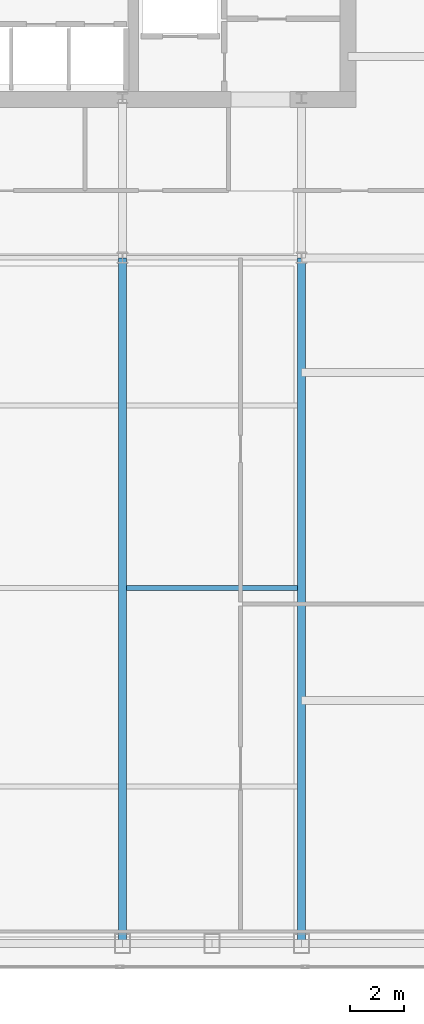
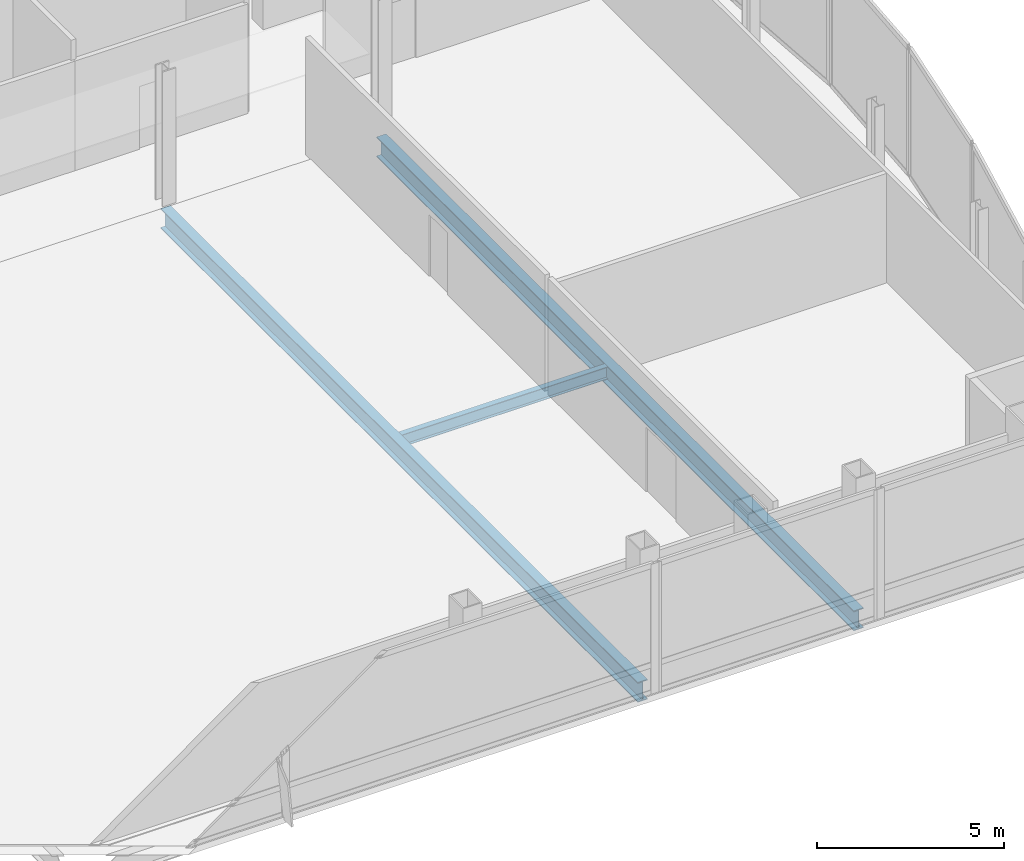
# One storey, part 15 of 28: 3 beams.
"""IFC4 building model written with IfcOpenShell, lengths in metres."""

import ifcopenshell
import ifcopenshell.guid

model = None  # the IFC model being written
_history = None  # IfcOwnerHistory: only IFC2X3 demands one
_inside = {}  # id of a spatial element -> (the spatial element, [elements in it])
_under = {}  # id of a project, library or spatial element -> (it, [spatial elements below it])
_declared = {}  # id of a project -> (the project, [libraries it declares])
_typed = {}  # id of a type object -> (the type object, [elements of that type])
_made_of = {}  # id of a material, layer set ... -> (it, [elements and type objects made of it])


def new_model(schema):
    """Start an empty IFC model of exactly this schema.

    Asked for "IFC4X3", IfcOpenShell would pick the latest addendum, in which some entities
    have other attributes; the version numbers below select the first issue.
    IFC2X3 requires an IfcOwnerHistory on every rooted entity: one is made here for all.
    """
    global model, _history
    if schema == "IFC4X3":
        model = ifcopenshell.file(schema_version=(4, 3, 0, 0))
    else:
        model = ifcopenshell.file(schema=schema)
    _inside.clear()
    _under.clear()
    _declared.clear()
    _typed.clear()
    _made_of.clear()
    _history = None
    if model.schema == "IFC2X3":
        org = make("IfcOrganization", Name="unknown")
        user = make(
            "IfcPersonAndOrganization",
            ThePerson=make("IfcPerson", FamilyName="unknown"),
            TheOrganization=org,
        )
        app = make(
            "IfcApplication",
            ApplicationDeveloper=org,
            Version="unknown",
            ApplicationFullName="unknown",
            ApplicationIdentifier="unknown",
        )
        _history = make(
            "IfcOwnerHistory",
            OwningUser=user,
            OwningApplication=app,
            ChangeAction="ADDED",
            CreationDate=0,
        )
    return model


def make(cls, **values):
    """One entity of the class cls with the attributes given. An attribute that is None is left unset."""
    return model.create_entity(
        cls, **{name: value for name, value in values.items() if value is not None}
    )


def rooted(cls, **values):
    """An entity with a GlobalId (a new one), such as an element, a storey or a relation."""
    return make(cls, GlobalId=ifcopenshell.guid.new(), OwnerHistory=_history, **values)


def si_unit(unit_type, name, prefix=None):
    """IfcSIUnit, for example si_unit("LENGTHUNIT", "METRE", prefix="MILLI")."""
    return make("IfcSIUnit", UnitType=unit_type, Prefix=prefix, Name=name)


def assignment(units):
    """IfcUnitAssignment: the units of a project."""
    return None if units is None else make("IfcUnitAssignment", Units=units)


def point(xyz):
    """IfcCartesianPoint."""
    return None if xyz is None else make("IfcCartesianPoint", Coordinates=xyz)


def direction(xyz):
    """IfcDirection."""
    return None if xyz is None else make("IfcDirection", DirectionRatios=xyz)


def frame(location, z_axis=None, x_axis=None):
    """IfcAxis2Placement3D, a coordinate frame: its origin and axes. An axis left out is left unset."""
    return make(
        "IfcAxis2Placement3D",
        Location=point(location),
        Axis=direction(z_axis),
        RefDirection=direction(x_axis),
    )


def frame_2d(location, x_axis=None):
    """IfcAxis2Placement2D, a coordinate frame in the plane: its origin and x axis."""
    return make(
        "IfcAxis2Placement2D", Location=point(location), RefDirection=direction(x_axis)
    )


def origin():
    """The frame at (0, 0, 0) with its axes left unset."""
    return frame((0.0, 0.0, 0.0))


def origin_2d():
    """The frame at (0, 0) in the plane with its x axis left unset."""
    return frame_2d((0.0, 0.0))


def place(relative_to, where):
    """IfcLocalPlacement: puts the frame where relative to a parent placement (None: the world)."""
    return make(
        "IfcLocalPlacement", PlacementRelTo=relative_to, RelativePlacement=where
    )


def context(
    kind, dimensions, precision=None, world=None, true_north=None, identifier=None
):
    """IfcGeometricRepresentationContext, for example the 3D "Model" context."""
    return make(
        "IfcGeometricRepresentationContext",
        ContextIdentifier=identifier,
        ContextType=kind,
        CoordinateSpaceDimension=dimensions,
        Precision=precision,
        WorldCoordinateSystem=world,
        TrueNorth=true_north,
    )


def subcontext(parent, identifier, kind, view, scale=None):
    """IfcGeometricRepresentationSubContext, for example "Body" below "Model"."""
    return make(
        "IfcGeometricRepresentationSubContext",
        ContextIdentifier=identifier,
        ContextType=kind,
        ParentContext=parent,
        TargetScale=scale,
        TargetView=view,
    )


def project(units=None, contexts=None):
    """IfcProject with its units and contexts."""
    return rooted(
        "IfcProject",
        Name="project",
        RepresentationContexts=contexts,
        UnitsInContext=assignment(units),
    )


def spatial(cls, under=None, at=None, **own):
    """A site, building, storey or space (cls), placed at a placement, below another one or the project."""
    s = rooted(cls, ObjectPlacement=at, **own)
    if under is not None:
        _under.setdefault(under.id(), (under, []))[1].append(s)
    return s


def profile(cls, at=None, kind="AREA", **sizes):
    """A parametric profile (cls). Its sizes go by their IFC names, for example OverallWidth=200.0."""
    return make(cls, ProfileType=kind, Position=at, **sizes)


def i_section(**sizes):
    """IfcIShapeProfileDef."""
    return profile("IfcIShapeProfileDef", **sizes)


def extrude(swept, where, along, depth):
    """IfcExtrudedAreaSolid: the profile swept, set in the frame where, extruded along a direction by depth."""
    return make(
        "IfcExtrudedAreaSolid",
        SweptArea=swept,
        Position=where,
        ExtrudedDirection=direction(along),
        Depth=depth,
    )


def shape(context_of_items, identifier, shape_type, items):
    """IfcShapeRepresentation: the items that make up one representation, for example the "Body"."""
    return make(
        "IfcShapeRepresentation",
        ContextOfItems=context_of_items,
        RepresentationIdentifier=identifier,
        RepresentationType=shape_type,
        Items=items,
    )


def material(Name=None, Category=None):
    """IfcMaterial."""
    return make("IfcMaterial", Name=Name, Category=Category)


def material_profile(
    of_material, cross_section, Name=None, Category=None, Priority=None
):
    """IfcMaterialProfile: a cross section and its material."""
    return make(
        "IfcMaterialProfile",
        Name=Name,
        Material=of_material,
        Profile=cross_section,
        Priority=Priority,
        Category=Category,
    )


def profile_set(profiles, Name=None, composite=None):
    """IfcMaterialProfileSet."""
    return make(
        "IfcMaterialProfileSet",
        Name=Name,
        MaterialProfiles=profiles,
        CompositeProfile=composite,
    )


def made_of(thing, what):
    """Note that an element or type object is made of a material, layer set ...; save() writes the relation."""
    if what is not None:
        _made_of.setdefault(what.id(), (what, []))[1].append(thing)
    return thing


def type_object(cls, material=None, **own):
    """A type object (cls), such as IfcWallType, which elements share."""
    return made_of(rooted(cls, **own), material)


def element(
    cls,
    number,
    at=None,
    inside=None,
    cuts=None,
    type_object=None,
    material=None,
    context=None,
    identifier="Body",
    shape_type=None,
    held_by="IfcProductDefinitionShape",
    body=None,
    shapes=None,
    **own,
):
    """One element of the class cls, such as IfcWall. Its Tag is "e" and its number.

    at: its placement. inside: the storey or other place that contains it. cuts: it is an
    opening in that element (IfcRelVoidsElement). A single representation is given by context,
    identifier, shape_type and body (its items); several are given by shapes. held_by: the class
    of the entity that holds the representations. save() writes the other relations.
    """
    e = rooted(cls, Tag="e%d" % number, ObjectPlacement=at, **own)
    if body is not None:
        shapes = [shape(context, identifier, shape_type, body)]
    if shapes is not None:
        e.Representation = make(held_by, Representations=shapes)
    if inside is not None:
        _inside.setdefault(inside.id(), (inside, []))[1].append(e)
    if cuts is not None:
        rooted(
            "IfcRelVoidsElement", RelatingBuildingElement=cuts, RelatedOpeningElement=e
        )
    if type_object is not None:
        _typed.setdefault(type_object.id(), (type_object, []))[1].append(e)
    return made_of(e, material)


def aggregate(whole, parts):
    """IfcRelAggregates: a whole, such as a stair, and the parts it consists of."""
    return rooted("IfcRelAggregates", RelatingObject=whole, RelatedObjects=parts)


def save(model, path):
    """Write the relations noted so far, then the file.

    IfcRelAggregates (storeys below a building ...), IfcRelContainedInSpatialStructure (elements
    in a storey), IfcRelDefinesByType, IfcRelAssociatesMaterial and IfcRelDeclares: one each for
    every whole, place, type object, material and project.
    """
    for whole, parts in _under.values():
        aggregate(whole, parts)
    for where, things in _inside.values():
        rooted(
            "IfcRelContainedInSpatialStructure",
            RelatedElements=things,
            RelatingStructure=where,
        )
    for kind, things in _typed.values():
        rooted("IfcRelDefinesByType", RelatedObjects=things, RelatingType=kind)
    for what, things in _made_of.values():
        rooted("IfcRelAssociatesMaterial", RelatedObjects=things, RelatingMaterial=what)
    for by, libraries in _declared.values():
        rooted("IfcRelDeclares", RelatingContext=by, RelatedDefinitions=libraries)
    model.write(path)


model = new_model("IFC4")

# Units and contexts
model_context = context("Model", 3, precision=1e-05, world=origin(), true_north=direction((0.0, 1.0)))
body_context = subcontext(model_context, "Body", "Model", "MODEL_VIEW")
ifc_project = project(units=[si_unit("LENGTHUNIT", "METRE"), si_unit("AREAUNIT", "SQUARE_METRE"), si_unit("VOLUMEUNIT", "CUBIC_METRE"), si_unit("PLANEANGLEUNIT", "RADIAN"), si_unit("MASSUNIT", "GRAM", prefix="KILO")], contexts=[model_context])

# Site, building, storey
site_placement = place(None, origin())
site = spatial("IfcSite", under=ifc_project, at=site_placement, CompositionType="ELEMENT")
building_placement = place(site_placement, origin())
building = spatial("IfcBuilding", under=site, at=building_placement, Name="Khoronbel Lancet Exchange", CompositionType="ELEMENT")
storey_placement = place(building_placement, frame((0.0, 0.0, 265.39990234375)))
storey = spatial("IfcBuildingStorey", under=building, at=storey_placement, Name="L68", CompositionType="ELEMENT", Elevation=265.39990234375)

# Beams
ifc_material = material(Name="Steel S355", Category="steel")
ifc_material_profile_1 = material_profile(ifc_material, i_section(OverallWidth=0.300048828125, OverallDepth=0.64990234375, WebThickness=0.01611328125, FlangeThickness=0.031005859375, at=origin_2d()), Name="HEB 650")
ifc_profile_set_1 = profile_set([ifc_material_profile_1], Name="Steel S355")
beam_type_1 = type_object("IfcBeamType", Name="BM-BG4", PredefinedType="BEAM", material=ifc_profile_set_1)
for number, where, z_axis, x_axis, name in (
    (1, (48.0, 10.14990234375, -0.52490234375), (0.0, 1.0, 0.0), (-1.0, 0.0, 0.0), "Level L68 south primary girder GS5"),
    (2, (54.675048828125, 10.14990234375, -0.52490234375), (0.0, 1.0, 0.0), (-1.0, 0.0, 0.0), "Level L68 south primary girder GS6"),
):
    element("IfcBeam", number, at=place(storey_placement, frame(where, z_axis=z_axis, x_axis=x_axis)), inside=storey, type_object=beam_type_1, Name=name, PredefinedType="BEAM", context=body_context, shape_type="SweptSolid", body=[
        extrude(i_section(OverallWidth=0.300048828125, OverallDepth=0.64990234375, WebThickness=0.01611328125, FlangeThickness=0.031005859375, at=origin_2d()), origin(), (0.0, 0.0, 1.0), 25.550048828125),
    ])
ifc_material_profile_2 = material_profile(ifc_material, i_section(OverallWidth=0.179931640625, OverallDepth=0.39990234375, WebThickness=0.008544921875, FlangeThickness=0.013427734375, at=origin_2d()), Name="IPE 400")
ifc_profile_set_2 = profile_set([ifc_material_profile_2], Name="Steel S355")
beam_type_2 = type_object("IfcBeamType", Name="BM-BJ5", PredefinedType="JOIST", material=ifc_profile_set_2)
beam_placement = place(storey_placement, frame((48.14990234375, 23.39990234375, -0.39990234375), z_axis=(1.0, 0.0, 0.0), x_axis=(0.0, 1.0, 0.0)))
element("IfcBeam", 3, at=beam_placement, inside=storey, type_object=beam_type_2, Name="Level L68 secondary composite joist J10", PredefinedType="JOIST", context=body_context, shape_type="SweptSolid", body=[
    extrude(i_section(OverallWidth=0.179931640625, OverallDepth=0.39990234375, WebThickness=0.008544921875, FlangeThickness=0.013427734375, at=origin_2d()), origin(), (0.0, 0.0, 1.0), 6.375),
])

save(model, "model.ifc")
